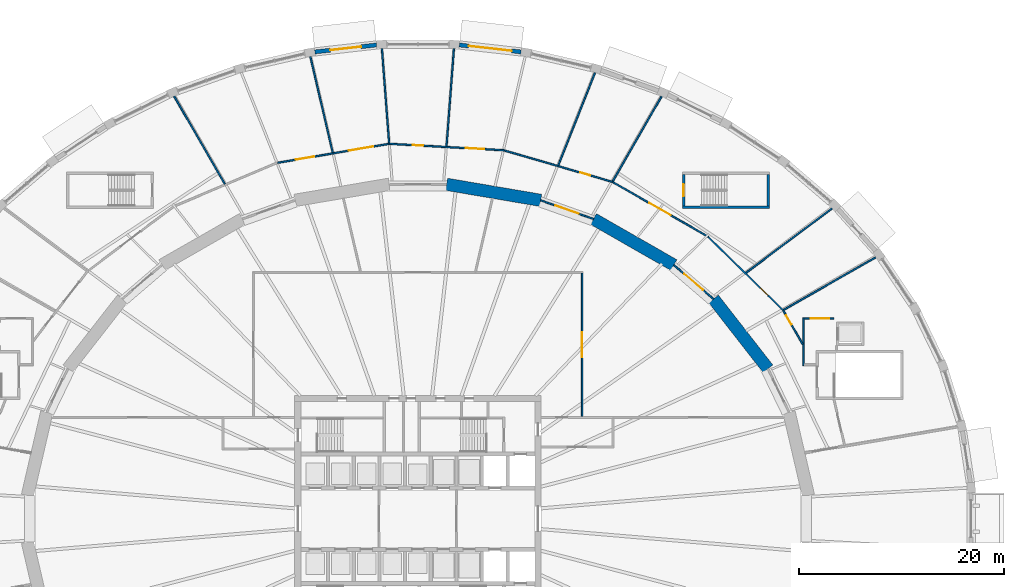
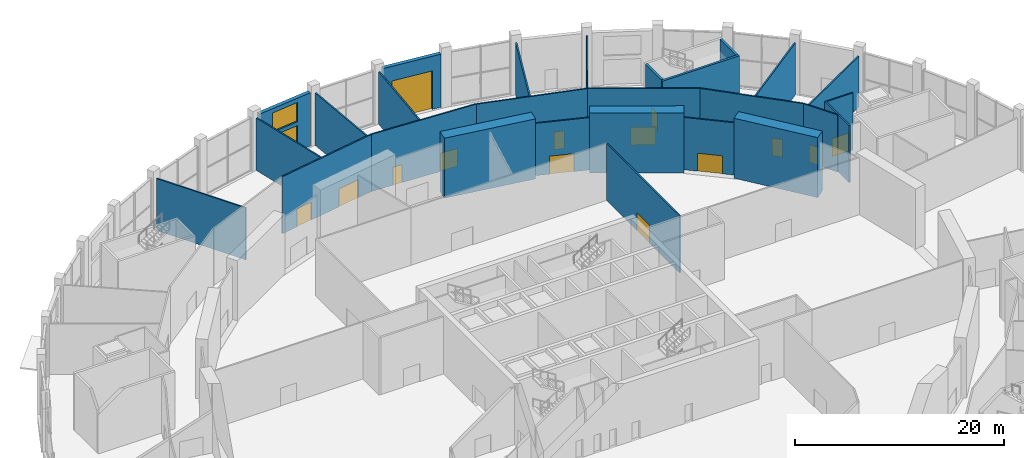
# One storey, part 27 of 33: 27 walls, 15 doors, 1 window, 16 openings.
"""IFC4 building model written with IfcOpenShell, lengths in metres."""

from ifc_helpers import new_model, si_unit, direction, frame, frame_2d, origin, place, context, subcontext, project, spatial, polyline, rectangle, outline, extrude, material, layer, layer_set, type_object, element, fill, save


model = new_model("IFC4")

# Units and contexts
model_context = context("Model", 3, precision=1e-05, world=origin(), true_north=direction((0.0, 1.0)))
body_context = subcontext(model_context, "Body", "Model", "MODEL_VIEW")
ifc_project = project(units=[si_unit("LENGTHUNIT", "METRE"), si_unit("AREAUNIT", "SQUARE_METRE"), si_unit("VOLUMEUNIT", "CUBIC_METRE"), si_unit("PLANEANGLEUNIT", "RADIAN"), si_unit("MASSUNIT", "GRAM", prefix="KILO")], contexts=[model_context])

# Site, building, storey
site_placement = place(None, origin())
site = spatial("IfcSite", under=ifc_project, at=site_placement, CompositionType="ELEMENT")
building_placement = place(site_placement, origin())
building = spatial("IfcBuilding", under=site, at=building_placement, Name="Halqa Exchange Tower", CompositionType="ELEMENT")
storey_placement = place(building_placement, origin())
storey = spatial("IfcBuildingStorey", under=building, at=storey_placement, Name="L00", CompositionType="ELEMENT", Elevation=0.0)

# Wall
ifc_material_1 = material(Name="Fire-rated gypsum board")
ifc_layer_1 = layer(ifc_material_1, 0.14990234375)
ifc_layer_set_1 = layer_set([ifc_layer_1], Name="Fire-rated gypsum board")
wall_type_1 = type_object("IfcWallType", Name="Fire partition EI 60 150", PredefinedType="PARTITIONING", material=ifc_layer_set_1)
wall_1_placement = place(storey_placement, frame((-18.809814453125, 32.598876953125, 0.0), z_axis=(0.0, 0.0, 1.0), x_axis=(-0.499854452602, 0.866109419308, 0.0)))
element("IfcWall", 1, at=wall_1_placement, inside=storey, type_object=wall_type_1, Name="L00-PWL-040", PredefinedType="PARTITIONING", context=body_context, shape_type="SweptSolid", body=[
    extrude(outline(polyline([(-0.00927734375, -0.074951171875), (9.8642578125, -0.074951171875), (9.8828125, 0.074951171875), (0.00927734375, 0.074951171875), (-0.00927734375, -0.074951171875)])), origin(), (0.0, 0.0, 1.0), 6.050048828125),
])

# Wall, openings, doors
wall_2_placement = place(storey_placement, frame((-13.660888671875, 34.6669921875, 0.0), z_axis=(0.0, 0.0, 1.0), x_axis=(0.98575575727, 0.168183194788, 0.0)))
wall_2 = element("IfcWall", 2, at=wall_2_placement, inside=storey, type_object=wall_type_1, Name="L00-PWL-046", PredefinedType="PARTITIONING", context=body_context, shape_type="SweptSolid", body=[
    extrude(rectangle(XDim=11.033935546875, YDim=0.14990234375, at=frame_2d((5.51708984375, 0.0))), origin(), (0.0, 0.0, 1.0), 6.64990234375),
])
opening_1_placement = place(wall_2_placement, frame((7.022705078125, 0.0, 0.0)))
opening_1 = element("IfcOpeningElement", 3, at=opening_1_placement, cuts=wall_2, Name="Opening L00-45", PredefinedType="OPENING", context=body_context, shape_type="SweptSolid", body=[
    extrude(rectangle(XDim=2.39990234375, YDim=2.10009765625, at=frame_2d((1.199951171875, 1.050048828125))), frame((0.0, 0.0869140625, 0.0), z_axis=(0.0, -1.0, 0.0), x_axis=(1.0, 0.0, 0.0)), (0.0, 0.0, 1.0), 0.173828125),
])
opening_2_placement = place(wall_2_placement, frame((1.793701171875, 0.0, 0.0)))
opening_2 = element("IfcOpeningElement", 4, at=opening_2_placement, cuts=wall_2, Name="Opening L00-46", PredefinedType="OPENING", context=body_context, shape_type="SweptSolid", body=[
    extrude(rectangle(XDim=1.800048828125, YDim=2.10009765625, at=frame_2d((0.89990234375, 1.050048828125))), frame((0.0, 0.0869140625, 0.0), z_axis=(0.0, -1.0, 0.0), x_axis=(1.0, 0.0, 0.0)), (0.0, 0.0, 1.0), 0.173828125),
])
ifc_material_2 = material(Name="Steel fire door leaf", Category="steel")
door_type_1 = type_object("IfcDoorType", Name="Fire door FD30S double 1800 x 2100", OperationType="DOUBLE_DOOR_SINGLE_SWING", PredefinedType="DOOR", material=ifc_material_2)
door_1_placement = place(opening_2_placement, origin())
door_1 = element("IfcDoor", 5, at=door_1_placement, inside=storey, type_object=door_type_1, Name="L00-IDR-046", OperationType="DOUBLE_DOOR_SINGLE_SWING", OverallHeight=2.10009765625, OverallWidth=1.800048828125, PredefinedType="DOOR", context=body_context, shape_type="SweptSolid", body=[
    extrude(rectangle(XDim=1.800048828125, YDim=2.10009765625, at=frame_2d((0.89990234375, 1.050048828125))), frame((0.0, 0.02490234375, 0.0), z_axis=(0.0, -1.0, 0.0), x_axis=(1.0, 0.0, 0.0)), (0.0, 0.0, 1.0), 0.050048828125),
])
fill(opening_2, door_1)
door_type_2 = type_object("IfcDoorType", Name="Fire door FD60S double 2400 x 2100", OperationType="DOUBLE_DOOR_SINGLE_SWING", PredefinedType="DOOR", material=ifc_material_2)
door_2_placement = place(opening_1_placement, origin())
door_2 = element("IfcDoor", 6, at=door_2_placement, inside=storey, type_object=door_type_2, Name="L00-IDR-045", OperationType="DOUBLE_DOOR_SINGLE_SWING", OverallHeight=2.10009765625, OverallWidth=2.39990234375, PredefinedType="DOOR", context=body_context, shape_type="SweptSolid", body=[
    extrude(rectangle(XDim=2.39990234375, YDim=2.10009765625, at=frame_2d((1.199951171875, 1.050048828125))), frame((0.0, 0.02490234375, 0.0), z_axis=(0.0, -1.0, 0.0), x_axis=(1.0, 0.0, 0.0)), (0.0, 0.0, 1.0), 0.050048828125),
])
fill(opening_1, door_2)

# Walls
wall_3_placement = place(storey_placement, frame((-8.298095703125, 35.657470703125, 0.0), z_axis=(0.0, 0.0, 1.0), x_axis=(-0.226707460947, 0.973962898241, 0.0)))
element("IfcWall", 7, at=wall_3_placement, inside=storey, type_object=wall_type_1, Name="L00-PWL-051", PredefinedType="PARTITIONING", context=body_context, shape_type="SweptSolid", body=[
    extrude(outline(polyline([(-0.00439453125, -0.074951171875), (9.603759765625, -0.074951171875), (9.612548828125, 0.074951171875), (0.00439453125, 0.074951171875), (-0.00439453125, -0.074951171875)])), origin(), (0.0, 0.0, 1.0), 6.10009765625),
])
wall_4_placement = place(storey_placement, frame((-2.8056640625, 36.5947265625, 0.0), z_axis=(0.0, 0.0, 1.0), x_axis=(-0.076140518104, 0.997097097329, 0.0)))
element("IfcWall", 8, at=wall_4_placement, inside=storey, type_object=wall_type_1, Name="L00-PWL-055", PredefinedType="PARTITIONING", context=body_context, shape_type="SweptSolid", body=[
    extrude(outline(polyline([(0.0, -0.074951171875), (9.233154296875, -0.074951171875), (9.236083984375, 0.074951171875), (0.0, 0.074951171875), (0.0, -0.074951171875)])), origin(), (0.0, 0.0, 1.0), 6.10009765625),
])

# Wall, openings, doors
wall_5_placement = place(storey_placement, frame((-2.784912109375, 36.519287109375, 0.0), z_axis=(0.0, 0.0, 1.0), x_axis=(0.99840694737, -0.0564231109, 0.0)))
wall_5 = element("IfcWall", 9, at=wall_5_placement, inside=storey, type_object=wall_type_1, Name="L00-PWL-056", PredefinedType="PARTITIONING", context=body_context, shape_type="SweptSolid", body=[
    extrude(rectangle(XDim=11.25, YDim=0.14990234375, at=frame_2d((5.625, 0.0))), origin(), (0.0, 0.0, 1.0), 6.64990234375),
])
opening_3_placement = place(wall_5_placement, frame((7.448486328125, 0.0, 0.0)))
opening_3 = element("IfcOpeningElement", 10, at=opening_3_placement, cuts=wall_5, Name="Opening L00-43", PredefinedType="OPENING", context=body_context, shape_type="SweptSolid", body=[
    extrude(rectangle(XDim=1.800048828125, YDim=2.10009765625, at=frame_2d((0.89990234375, 1.050048828125))), frame((0.0, 0.0869140625, 0.0), z_axis=(0.0, -1.0, 0.0), x_axis=(1.0, 0.0, 0.0)), (0.0, 0.0, 1.0), 0.173828125),
])
opening_4_placement = place(wall_5_placement, frame((2.294677734375, 0.0, 0.0)))
opening_4 = element("IfcOpeningElement", 11, at=opening_4_placement, cuts=wall_5, Name="Opening L00-44", PredefinedType="OPENING", context=body_context, shape_type="SweptSolid", body=[
    extrude(rectangle(XDim=1.0, YDim=2.10009765625, at=frame_2d((0.5, 1.050048828125))), frame((0.0, 0.0869140625, 0.0), z_axis=(0.0, -1.0, 0.0), x_axis=(1.0, 0.0, 0.0)), (0.0, 0.0, 1.0), 0.173828125),
])
door_type_3 = type_object("IfcDoorType", Name="Fire door FD30S 1000 x 2100", OperationType="SINGLE_SWING_LEFT", PredefinedType="DOOR", material=ifc_material_2)
door_3_placement = place(opening_4_placement, origin())
door_3 = element("IfcDoor", 12, at=door_3_placement, inside=storey, type_object=door_type_3, Name="L00-IDR-044", OperationType="SINGLE_SWING_RIGHT", OverallHeight=2.10009765625, OverallWidth=1.0, PredefinedType="DOOR", context=body_context, shape_type="SweptSolid", body=[
    extrude(rectangle(XDim=1.0, YDim=2.10009765625, at=frame_2d((0.5, 1.050048828125))), frame((0.0, 0.02490234375, 0.0), z_axis=(0.0, -1.0, 0.0), x_axis=(1.0, 0.0, 0.0)), (0.0, 0.0, 1.0), 0.050048828125),
])
fill(opening_4, door_3)
door_4_placement = place(opening_3_placement, origin())
door_4 = element("IfcDoor", 13, at=door_4_placement, inside=storey, type_object=door_type_1, Name="L00-IDR-043", OperationType="DOUBLE_DOOR_SINGLE_SWING", OverallHeight=2.10009765625, OverallWidth=1.800048828125, PredefinedType="DOOR", context=body_context, shape_type="SweptSolid", body=[
    extrude(rectangle(XDim=1.800048828125, YDim=2.10009765625, at=frame_2d((0.89990234375, 1.050048828125))), frame((0.0, 0.02490234375, 0.0), z_axis=(0.0, -1.0, 0.0), x_axis=(1.0, 0.0, 0.0)), (0.0, 0.0, 1.0), 0.050048828125),
])
fill(opening_3, door_4)

# Wall
wall_6_placement = place(storey_placement, frame((2.785888671875, 36.27880859375, 0.0), z_axis=(0.0, 0.0, 1.0), x_axis=(0.07568782988, 0.997131562236, 0.0)))
element("IfcWall", 14, at=wall_6_placement, inside=storey, type_object=wall_type_1, Name="L00-PWL-058", PredefinedType="PARTITIONING", context=body_context, shape_type="SweptSolid", body=[
    extrude(rectangle(XDim=9.551025390625, YDim=0.14990234375, at=frame_2d((4.775390625, 0.0))), origin(), (0.0, 0.0, 1.0), 6.10009765625),
])

# Wall, opening, door
wall_7_placement = place(storey_placement, frame((8.445556640625, 35.8623046875, 0.0), z_axis=(0.0, 0.0, 1.0), x_axis=(0.96020899529, -0.27928244729, 0.0)))
wall_7 = element("IfcWall", 15, at=wall_7_placement, inside=storey, type_object=wall_type_1, Name="L00-PWL-066", PredefinedType="PARTITIONING", context=body_context, shape_type="SweptSolid", body=[
    extrude(rectangle(XDim=10.949951171875, YDim=0.14990234375, at=frame_2d((5.47509765625, 0.0))), origin(), (0.0, 0.0, 1.0), 6.64990234375),
])
opening_5_placement = place(wall_7_placement, frame((7.65478515625, 0.0, 0.0)))
opening_5 = element("IfcOpeningElement", 16, at=opening_5_placement, cuts=wall_7, Name="Opening L00-42", PredefinedType="OPENING", context=body_context, shape_type="SweptSolid", body=[
    extrude(rectangle(XDim=1.0, YDim=2.10009765625, at=frame_2d((0.5, 1.050048828125))), frame((0.0, 0.0869140625, 0.0), z_axis=(0.0, -1.0, 0.0), x_axis=(1.0, 0.0, 0.0)), (0.0, 0.0, 1.0), 0.173828125),
])
door_5_placement = place(opening_5_placement, origin())
door_5 = element("IfcDoor", 17, at=door_5_placement, inside=storey, type_object=door_type_3, Name="L00-IDR-042", OperationType="SINGLE_SWING_LEFT", OverallHeight=2.10009765625, OverallWidth=1.0, PredefinedType="DOOR", context=body_context, shape_type="SweptSolid", body=[
    extrude(rectangle(XDim=1.0, YDim=2.10009765625, at=frame_2d((0.5, 1.050048828125))), frame((0.0, 0.02490234375, 0.0), z_axis=(0.0, -1.0, 0.0), x_axis=(1.0, 0.0, 0.0)), (0.0, 0.0, 1.0), 0.050048828125),
])
fill(opening_5, door_5)

wall_8_placement = place(storey_placement, frame((11.966796875, 31.01123046875, 0.0), z_axis=(0.0, 0.0, 1.0), x_axis=(0.942814385805, -0.333318217204, 0.0)))
wall_8 = element("IfcWall", 18, at=wall_8_placement, inside=storey, type_object=wall_type_1, Name="L00-PWL-067", PredefinedType="PARTITIONING", context=body_context, shape_type="SweptSolid", body=[
    extrude(outline(polyline([(0.012939453125, -0.074951171875), (5.421142578125, -0.074951171875), (5.448486328125, 0.074951171875), (-0.012939453125, 0.074951171875), (0.012939453125, -0.074951171875)])), origin(), (0.0, 0.0, 1.0), 6.10009765625),
])
opening_6_placement = place(wall_8_placement, frame((1.518798828125, 0.0, 0.0)))
opening_6 = element("IfcOpeningElement", 19, at=opening_6_placement, cuts=wall_8, Name="Opening L00-23", PredefinedType="OPENING", context=body_context, shape_type="SweptSolid", body=[
    extrude(rectangle(XDim=2.39990234375, YDim=2.10009765625, at=frame_2d((1.199951171875, 1.050048828125))), frame((0.0, 0.0869140625, 0.0), z_axis=(0.0, -1.0, 0.0), x_axis=(1.0, 0.0, 0.0)), (0.0, 0.0, 1.0), 0.173828125),
])
door_6_placement = place(opening_6_placement, frame((2.39990234375, 0.0, 0.0), z_axis=(0.0, 0.0, 1.0), x_axis=(-1.0, 0.0, 0.0)))
door_6 = element("IfcDoor", 20, at=door_6_placement, inside=storey, type_object=door_type_2, Name="L00-IDR-023", OperationType="DOUBLE_DOOR_SINGLE_SWING", OverallHeight=2.10009765625, OverallWidth=2.39990234375, PredefinedType="DOOR", context=body_context, shape_type="SweptSolid", body=[
    extrude(rectangle(XDim=2.39990234375, YDim=2.10009765625, at=frame_2d((1.199951171875, 1.050048828125))), frame((0.0, 0.02490234375, 0.0), z_axis=(0.0, -1.0, 0.0), x_axis=(1.0, 0.0, 0.0)), (0.0, 0.0, 1.0), 0.050048828125),
])
fill(opening_6, door_6)

# Wall
wall_9_placement = place(storey_placement, frame((13.668212890625, 34.420654296875, 0.0), z_axis=(0.0, 0.0, 1.0), x_axis=(0.369116523782, 0.929383124374, 0.0)))
element("IfcWall", 21, at=wall_9_placement, inside=storey, type_object=wall_type_1, Name="L00-PWL-071", PredefinedType="PARTITIONING", context=body_context, shape_type="SweptSolid", body=[
    extrude(outline(polyline([(0.007080078125, -0.074951171875), (9.729248046875, -0.074951171875), (9.715087890625, 0.074951171875), (-0.007080078125, 0.074951171875), (0.007080078125, -0.074951171875)])), origin(), (0.0, 0.0, 1.0), 6.10009765625),
])

# Wall, opening, door
wall_10_placement = place(storey_placement, frame((16.0, 23.926025390625, 0.0), z_axis=(0.0, 0.0, 1.0), x_axis=(0.0, -1.0, 0.0)))
wall_10 = element("IfcWall", 22, at=wall_10_placement, inside=storey, type_object=wall_type_1, Name="L00-PWL-075", PredefinedType="PARTITIONING", context=body_context, shape_type="SweptSolid", body=[
    extrude(rectangle(XDim=13.946044921875, YDim=0.14990234375, at=frame_2d((6.97314453125, 0.0))), origin(), (0.0, 0.0, 1.0), 6.64990234375),
])
opening_7_placement = place(wall_10_placement, frame((5.785888671875, 0.0, 0.0)))
opening_7 = element("IfcOpeningElement", 23, at=opening_7_placement, cuts=wall_10, Name="Opening L00-12", PredefinedType="OPENING", context=body_context, shape_type="SweptSolid", body=[
    extrude(rectangle(XDim=2.39990234375, YDim=2.10009765625, at=frame_2d((1.199951171875, 1.050048828125))), frame((0.0, 0.0869140625, 0.0), z_axis=(0.0, -1.0, 0.0), x_axis=(1.0, 0.0, 0.0)), (0.0, 0.0, 1.0), 0.173828125),
])
door_7_placement = place(opening_7_placement, origin())
door_7 = element("IfcDoor", 24, at=door_7_placement, inside=storey, type_object=door_type_2, Name="L00-IDR-012", OperationType="DOUBLE_DOOR_SINGLE_SWING", OverallHeight=2.10009765625, OverallWidth=2.39990234375, PredefinedType="DOOR", context=body_context, shape_type="SweptSolid", body=[
    extrude(rectangle(XDim=2.39990234375, YDim=2.10009765625, at=frame_2d((1.199951171875, 1.050048828125))), frame((0.0, 0.02490234375, 0.0), z_axis=(0.0, -1.0, 0.0), x_axis=(1.0, 0.0, 0.0)), (0.0, 0.0, 1.0), 0.050048828125),
])
fill(opening_7, door_7)

# Wall
wall_11_placement = place(storey_placement, frame((18.978271484375, 32.876220703125, 0.0), z_axis=(0.0, 0.0, 1.0), x_axis=(0.499216965882, 0.866477016992, 0.0)))
element("IfcWall", 25, at=wall_11_placement, inside=storey, type_object=wall_type_1, Name="L00-PWL-078", PredefinedType="PARTITIONING", context=body_context, shape_type="SweptSolid", body=[
    extrude(outline(polyline([(0.0, -0.074951171875), (9.557861328125, -0.074951171875), (9.539306640625, 0.074951171875), (0.0, 0.074951171875), (0.0, -0.074951171875)])), origin(), (0.0, 0.0, 1.0), 6.050048828125),
])

# Wall, opening, door
wall_12_placement = place(storey_placement, frame((18.957763671875, 32.7998046875, 0.0), z_axis=(0.0, 0.0, 1.0), x_axis=(0.867958465669, -0.496636790697, 0.0)))
wall_12 = element("IfcWall", 26, at=wall_12_placement, inside=storey, type_object=wall_type_1, Name="L00-PWL-079", PredefinedType="PARTITIONING", context=body_context, shape_type="SweptSolid", body=[
    extrude(rectangle(XDim=10.771728515625, YDim=0.14990234375, at=frame_2d((5.3857421875, 0.0))), origin(), (0.0, 0.0, 1.0), 6.64990234375),
])
opening_8_placement = place(wall_12_placement, frame((4.12548828125, 0.0, 0.0)))
opening_8 = element("IfcOpeningElement", 27, at=opening_8_placement, cuts=wall_12, Name="Opening L00-41", PredefinedType="OPENING", context=body_context, shape_type="SweptSolid", body=[
    extrude(rectangle(XDim=2.39990234375, YDim=2.10009765625, at=frame_2d((1.199951171875, 1.050048828125))), frame((0.0, 0.0869140625, 0.0), z_axis=(0.0, -1.0, 0.0), x_axis=(1.0, 0.0, 0.0)), (0.0, 0.0, 1.0), 0.173828125),
])
door_8_placement = place(opening_8_placement, frame((2.39990234375, 0.0, 0.0), z_axis=(0.0, 0.0, 1.0), x_axis=(-1.0, 0.0, 0.0)))
door_8 = element("IfcDoor", 28, at=door_8_placement, inside=storey, type_object=door_type_2, Name="L00-IDR-041", OperationType="DOUBLE_DOOR_SINGLE_SWING", OverallHeight=2.10009765625, OverallWidth=2.39990234375, PredefinedType="DOOR", context=body_context, shape_type="SweptSolid", body=[
    extrude(rectangle(XDim=2.39990234375, YDim=2.10009765625, at=frame_2d((1.199951171875, 1.050048828125))), frame((0.0, 0.02490234375, 0.0), z_axis=(0.0, -1.0, 0.0), x_axis=(1.0, 0.0, 0.0)), (0.0, 0.0, 1.0), 0.050048828125),
])
fill(opening_8, door_8)

wall_13_placement = place(storey_placement, frame((24.931884765625, 24.70849609375, 0.0), z_axis=(0.0, 0.0, 1.0), x_axis=(0.760084552743, -0.649824185978, 0.0)))
wall_13 = element("IfcWall", 29, at=wall_13_placement, inside=storey, type_object=wall_type_1, Name="L00-PWL-085", PredefinedType="PARTITIONING", context=body_context, shape_type="SweptSolid", body=[
    extrude(outline(polyline([(0.01416015625, -0.074951171875), (5.0595703125, -0.074951171875), (5.09033203125, 0.074951171875), (-0.01416015625, 0.074951171875), (0.01416015625, -0.074951171875)])), origin(), (0.0, 0.0, 1.0), 6.10009765625),
])
opening_9_placement = place(wall_13_placement, frame((1.336669921875, 0.0, 0.0)))
opening_9 = element("IfcOpeningElement", 30, at=opening_9_placement, cuts=wall_13, Name="Opening L00-22", PredefinedType="OPENING", context=body_context, shape_type="SweptSolid", body=[
    extrude(rectangle(XDim=2.39990234375, YDim=2.10009765625, at=frame_2d((1.199951171875, 1.050048828125))), frame((0.0, 0.0869140625, 0.0), z_axis=(0.0, -1.0, 0.0), x_axis=(1.0, 0.0, 0.0)), (0.0, 0.0, 1.0), 0.173828125),
])
door_9_placement = place(opening_9_placement, frame((2.39990234375, 0.0, 0.0), z_axis=(0.0, 0.0, 1.0), x_axis=(-1.0, 0.0, 0.0)))
door_9 = element("IfcDoor", 31, at=door_9_placement, inside=storey, type_object=door_type_2, Name="L00-IDR-022", OperationType="DOUBLE_DOOR_SINGLE_SWING", OverallHeight=2.10009765625, OverallWidth=2.39990234375, PredefinedType="DOOR", context=body_context, shape_type="SweptSolid", body=[
    extrude(rectangle(XDim=2.39990234375, YDim=2.10009765625, at=frame_2d((1.199951171875, 1.050048828125))), frame((0.0, 0.02490234375, 0.0), z_axis=(0.0, -1.0, 0.0), x_axis=(1.0, 0.0, 0.0)), (0.0, 0.0, 1.0), 0.050048828125),
])
fill(opening_9, door_9)

wall_14_placement = place(storey_placement, frame((28.293701171875, 27.427978515625, 0.0), z_axis=(0.0, 0.0, 1.0), x_axis=(0.714841567175, -0.6992864462, 0.0)))
wall_14 = element("IfcWall", 32, at=wall_14_placement, inside=storey, type_object=wall_type_1, Name="L00-PWL-087", PredefinedType="PARTITIONING", context=body_context, shape_type="SweptSolid", body=[
    extrude(rectangle(XDim=10.201904296875, YDim=0.14990234375, at=frame_2d((5.10107421875, 0.0))), origin(), (0.0, 0.0, 1.0), 6.64990234375),
])
opening_10_placement = place(wall_14_placement, frame((7.096923828125, 0.0, 0.0)))
opening_10 = element("IfcOpeningElement", 33, at=opening_10_placement, cuts=wall_14, Name="Opening L00-40", PredefinedType="OPENING", context=body_context, shape_type="SweptSolid", body=[
    extrude(rectangle(XDim=1.0, YDim=2.10009765625, at=frame_2d((0.5, 1.050048828125))), frame((0.0, 0.0869140625, 0.0), z_axis=(0.0, -1.0, 0.0), x_axis=(1.0, 0.0, 0.0)), (0.0, 0.0, 1.0), 0.173828125),
])
door_10_placement = place(opening_10_placement, origin())
door_10 = element("IfcDoor", 34, at=door_10_placement, inside=storey, type_object=door_type_3, Name="L00-IDR-040", OperationType="SINGLE_SWING_LEFT", OverallHeight=2.10009765625, OverallWidth=1.0, PredefinedType="DOOR", context=body_context, shape_type="SweptSolid", body=[
    extrude(rectangle(XDim=1.0, YDim=2.10009765625, at=frame_2d((0.5, 1.050048828125))), frame((0.0, 0.02490234375, 0.0), z_axis=(0.0, -1.0, 0.0), x_axis=(1.0, 0.0, 0.0)), (0.0, 0.0, 1.0), 0.050048828125),
])
fill(opening_10, door_10)

# Wall
wall_15_placement = place(storey_placement, frame((31.9599609375, 23.945068359375, 0.0), z_axis=(0.0, 0.0, 1.0), x_axis=(0.800117504973, 0.599843294732, 0.0)))
element("IfcWall", 35, at=wall_15_placement, inside=storey, type_object=wall_type_1, Name="L00-PWL-089", PredefinedType="PARTITIONING", context=body_context, shape_type="SweptSolid", body=[
    extrude(outline(polyline([(0.011474609375, -0.074951171875), (10.481689453125, -0.074951171875), (10.458740234375, 0.074951171875), (-0.011474609375, 0.074951171875), (0.011474609375, -0.074951171875)])), origin(), (0.0, 0.0, 1.0), 6.050048828125),
])

# Wall, opening, door
wall_16_placement = place(storey_placement, frame((35.58154296875, 20.2900390625, 0.0), z_axis=(0.0, 0.0, 1.0), x_axis=(0.498809328019, -0.866711748092, 0.0)))
wall_16 = element("IfcWall", 36, at=wall_16_placement, inside=storey, type_object=wall_type_1, Name="L00-PWL-095", PredefinedType="PARTITIONING", context=body_context, shape_type="SweptSolid", body=[
    extrude(rectangle(XDim=3.797119140625, YDim=0.14990234375, at=frame_2d((1.8984375, 0.0))), origin(), (0.0, 0.0, 1.0), 6.64990234375),
])
opening_11_placement = place(wall_16_placement, frame((0.576904296875, 0.0, 0.0)))
opening_11 = element("IfcOpeningElement", 37, at=opening_11_placement, cuts=wall_16, Name="Opening L00-39", PredefinedType="OPENING", context=body_context, shape_type="SweptSolid", body=[
    extrude(rectangle(XDim=1.0, YDim=2.10009765625, at=frame_2d((0.5, 1.050048828125))), frame((0.0, 0.0869140625, 0.0), z_axis=(0.0, -1.0, 0.0), x_axis=(1.0, 0.0, 0.0)), (0.0, 0.0, 1.0), 0.173828125),
])
door_11_placement = place(opening_11_placement, frame((1.0, 0.0, 0.0), z_axis=(0.0, 0.0, 1.0), x_axis=(-1.0, 0.0, 0.0)))
door_11 = element("IfcDoor", 38, at=door_11_placement, inside=storey, type_object=door_type_3, Name="L00-IDR-039", OperationType="SINGLE_SWING_LEFT", OverallHeight=2.10009765625, OverallWidth=1.0, PredefinedType="DOOR", context=body_context, shape_type="SweptSolid", body=[
    extrude(rectangle(XDim=1.0, YDim=2.10009765625, at=frame_2d((0.5, 1.050048828125))), frame((0.0, 0.02490234375, 0.0), z_axis=(0.0, -1.0, 0.0), x_axis=(1.0, 0.0, 0.0)), (0.0, 0.0, 1.0), 0.050048828125),
])
fill(opening_11, door_11)

# Walls
wall_17_placement = place(storey_placement, frame((35.636962890625, 20.34814453125, 0.0), z_axis=(0.0, 0.0, 1.0), x_axis=(0.868596802664, 0.495519519698, 0.0)))
element("IfcWall", 39, at=wall_17_placement, inside=storey, type_object=wall_type_1, Name="L00-PWL-096", PredefinedType="PARTITIONING", context=body_context, shape_type="SweptSolid", body=[
    extrude(outline(polyline([(0.0, -0.074951171875), (10.327392578125, -0.074951171875), (10.305908203125, 0.074951171875), (0.0, 0.074951171875), (0.0, -0.074951171875)])), origin(), (0.0, 0.0, 1.0), 5.89697265625),
])
wall_18_placement = place(storey_placement, frame((37.550048828125, 14.925048828125, 0.0), z_axis=(0.0, 0.0, 1.0), x_axis=(0.0, 1.0, 0.0)))
element("IfcWall", 40, at=wall_18_placement, inside=storey, type_object=wall_type_1, Name="L00-PWL-101", PredefinedType="PARTITIONING", context=body_context, shape_type="SweptSolid", body=[
    extrude(rectangle(XDim=4.64990234375, YDim=0.14990234375, at=frame_2d((2.324951171875, 0.0))), origin(), (0.0, 0.0, 1.0), 6.64990234375),
])

# Wall, opening, door
wall_19_placement = place(storey_placement, frame((37.625, 19.5, 0.0), z_axis=(0.0, 0.0, 1.0), x_axis=(1.0, 0.0, 0.0)))
wall_19 = element("IfcWall", 41, at=wall_19_placement, inside=storey, type_object=wall_type_1, Name="L00-PWL-103", PredefinedType="PARTITIONING", context=body_context, shape_type="SweptSolid", body=[
    extrude(rectangle(XDim=2.89990234375, YDim=0.14990234375, at=frame_2d((1.449951171875, 0.0))), origin(), (0.0, 0.0, 1.0), 6.64990234375),
])
opening_12_placement = place(wall_19_placement, frame((0.625, 0.0, 0.0)))
opening_12 = element("IfcOpeningElement", 42, at=opening_12_placement, cuts=wall_19, Name="Opening L00-63", PredefinedType="OPENING", context=body_context, shape_type="SweptSolid", body=[
    extrude(rectangle(XDim=1.800048828125, YDim=2.10009765625, at=frame_2d((0.89990234375, 1.050048828125))), frame((0.0, 0.0869140625, 0.0), z_axis=(0.0, -1.0, 0.0), x_axis=(1.0, 0.0, 0.0)), (0.0, 0.0, 1.0), 0.173828125),
])
door_12_placement = place(opening_12_placement, origin())
door_12 = element("IfcDoor", 43, at=door_12_placement, inside=storey, type_object=door_type_1, Name="L00-IDR-063", OperationType="DOUBLE_DOOR_SINGLE_SWING", OverallHeight=2.10009765625, OverallWidth=1.800048828125, PredefinedType="DOOR", context=body_context, shape_type="SweptSolid", body=[
    extrude(rectangle(XDim=1.800048828125, YDim=2.10009765625, at=frame_2d((0.89990234375, 1.050048828125))), frame((0.0, 0.02490234375, 0.0), z_axis=(0.0, -1.0, 0.0), x_axis=(1.0, 0.0, 0.0)), (0.0, 0.0, 1.0), 0.050048828125),
])
fill(opening_12, door_12)

# Walls
ifc_material_3 = material(Name="Concrete C80/95", Category="concrete")
ifc_layer_2 = layer(ifc_material_3, 1.199951171875)
ifc_layer_set_2 = layer_set([ifc_layer_2], Name="Concrete C80/95")
wall_type_2 = type_object("IfcWallType", Name="RC ring pier 1200 C80/95", PredefinedType="SHEAR", material=ifc_layer_set_2)
wall_20_placement = place(storey_placement, frame((34.09716796875, 14.60498046875, 0.0), z_axis=(0.0, 0.0, 1.0), x_axis=(-0.614825322247, 0.788663314174, 0.0)))
element("IfcWall", 44, at=wall_20_placement, inside=storey, type_object=wall_type_2, Name="Ring pier 2", PredefinedType="SHEAR", context=body_context, shape_type="SweptSolid", body=[
    extrude(rectangle(XDim=8.631591796875, YDim=1.199951171875, at=frame_2d((4.31591796875, 0.0))), origin(), (0.0, 0.0, 1.0), 7.0),
])
wall_21_placement = place(storey_placement, frame((24.931396484375, 24.705810546875, 0.0), z_axis=(0.0, 0.0, 1.0), x_axis=(-0.867760656864, 0.496982336103, 0.0)))
element("IfcWall", 45, at=wall_21_placement, inside=storey, type_object=wall_type_2, Name="Ring pier 3", PredefinedType="SHEAR", context=body_context, shape_type="SweptSolid", body=[
    extrude(rectangle(XDim=9.037841796875, YDim=1.199951171875, at=frame_2d((4.51904296875, 0.0))), origin(), (0.0, 0.0, 1.0), 7.0),
])
wall_22_placement = place(storey_placement, frame((11.96728515625, 31.00927734375, 0.0), z_axis=(0.0, 0.0, 1.0), x_axis=(-0.985776286846, 0.168062822456, 0.0)))
element("IfcWall", 46, at=wall_22_placement, inside=storey, type_object=wall_type_2, Name="Ring pier 4", PredefinedType="SHEAR", context=body_context, shape_type="SweptSolid", body=[
    extrude(rectangle(XDim=9.3115234375, YDim=1.199951171875, at=frame_2d((4.65576171875, 0.0))), origin(), (0.0, 0.0, 1.0), 7.0),
])
ifc_material_4 = material(Name="Concrete C30/37", Category="concrete")
ifc_layer_3 = layer(ifc_material_4, 0.25)
ifc_layer_set_3 = layer_set([ifc_layer_3], Name="Concrete C30/37")
wall_type_3 = type_object("IfcWallType", Name="RC stair wall 250 C30/37", PredefinedType="SHEAR", material=ifc_layer_set_3)
wall_23_placement = place(storey_placement, frame((25.75, 30.35009765625, 0.0), z_axis=(0.0, 0.0, 1.0), x_axis=(1.0, 0.0, 0.0)))
element("IfcWall", 47, at=wall_23_placement, inside=storey, type_object=wall_type_3, Name="Stair PS1 wall south", PredefinedType="SHEAR", context=body_context, shape_type="SweptSolid", body=[
    extrude(rectangle(XDim=8.5, YDim=0.25, at=frame_2d((4.25, 0.0))), origin(), (0.0, 0.0, 1.0), 6.64990234375),
])

# Wall, opening, door
wall_24_placement = place(storey_placement, frame((25.875, 30.47509765625, 0.0), z_axis=(0.0, 0.0, 1.0), x_axis=(0.0, 1.0, 0.0)))
wall_24 = element("IfcWall", 48, at=wall_24_placement, inside=storey, type_object=wall_type_3, Name="Stair PS1 wall west", PredefinedType="SHEAR", context=body_context, shape_type="SweptSolid", body=[
    extrude(rectangle(XDim=3.0498046875, YDim=0.25, at=frame_2d((1.52490234375, 0.0))), origin(), (0.0, 0.0, 1.0), 6.64990234375),
])
opening_13_placement = place(wall_24_placement, frame((0.925048828125, 0.0, 0.0)))
opening_13 = element("IfcOpeningElement", 49, at=opening_13_placement, cuts=wall_24, Name="Opening L00-C31", PredefinedType="OPENING", context=body_context, shape_type="SweptSolid", body=[
    extrude(rectangle(XDim=1.199951171875, YDim=2.10009765625, at=frame_2d((0.60009765625, 1.050048828125))), frame((0.0, 0.136962890625, 0.0), z_axis=(0.0, -1.0, 0.0), x_axis=(1.0, 0.0, 0.0)), (0.0, 0.0, 1.0), 0.27392578125),
])
door_type_4 = type_object("IfcDoorType", Name="Stair door FD90 1200 x 2100", OperationType="SINGLE_SWING_LEFT", PredefinedType="DOOR", material=ifc_material_2)
door_13_placement = place(opening_13_placement, origin())
door_13 = element("IfcDoor", 50, at=door_13_placement, inside=storey, type_object=door_type_4, Name="Stair door PS1", OperationType="SINGLE_SWING_RIGHT", OverallHeight=2.10009765625, OverallWidth=1.199951171875, PredefinedType="DOOR", context=body_context, shape_type="SweptSolid", body=[
    extrude(rectangle(XDim=1.199951171875, YDim=2.10009765625, at=frame_2d((0.60009765625, 1.050048828125))), frame((0.0, 0.02490234375, 0.0), z_axis=(0.0, -1.0, 0.0), x_axis=(1.0, 0.0, 0.0)), (0.0, 0.0, 1.0), 0.050048828125),
])
fill(opening_13, door_13)

# Wall
wall_25_placement = place(storey_placement, frame((34.125, 30.47509765625, 0.0), z_axis=(0.0, 0.0, 1.0), x_axis=(0.0, 1.0, 0.0)))
element("IfcWall", 51, at=wall_25_placement, inside=storey, type_object=wall_type_3, Name="Stair PS1 wall east", PredefinedType="SHEAR", context=body_context, shape_type="SweptSolid", body=[
    extrude(rectangle(XDim=3.0498046875, YDim=0.25, at=frame_2d((1.52490234375, 0.0))), origin(), (0.0, 0.0, 1.0), 6.64990234375),
])

# Wall, opening, door
ifc_material_5 = material(Name="Limestone cladding", Category="masonry")
ifc_layer_4 = layer(ifc_material_5, 0.0400390625)
ifc_material_6 = material(Name="Ventilated cavity")
ifc_layer_5 = layer(ifc_material_6, 0.030029296875, ventilated=True)
ifc_material_7 = material(Name="Mineral wool insulation")
ifc_layer_6 = layer(ifc_material_7, 0.1201171875)
ifc_layer_7 = layer(ifc_material_4, 0.179931640625)
ifc_material_8 = material(Name="Internal plaster")
ifc_layer_8 = layer(ifc_material_8, 0.030029296875)
ifc_layer_set_4 = layer_set([ifc_layer_4, ifc_layer_5, ifc_layer_6, ifc_layer_7, ifc_layer_8], Name="Stone-faced insulated wall 400")
wall_type_4 = type_object("IfcWallType", Name="Stone-faced insulated wall 400", PredefinedType="STANDARD", material=ifc_layer_set_4)
wall_26_placement = place(storey_placement, frame((10.0380859375, 45.466552734375, 0.0), z_axis=(0.0, 0.0, 1.0), x_axis=(-0.993691731831, 0.112146074793, 0.0)))
wall_26 = element("IfcWall", 52, at=wall_26_placement, inside=storey, type_object=wall_type_4, Name="Podium wall 11", PredefinedType="STANDARD", context=body_context, shape_type="SweptSolid", body=[
    extrude(rectangle(XDim=6.047607421875, YDim=0.39990234375, at=frame_2d((3.02392578125, 0.0))), origin(), (0.0, 0.0, 1.0), 6.199951171875),
])
opening_14_placement = place(wall_26_placement, frame((0.923828125, 0.0, 0.0)))
opening_14 = element("IfcOpeningElement", 53, at=opening_14_placement, cuts=wall_26, Name="Opening RS-01", PredefinedType="OPENING", context=body_context, shape_type="SweptSolid", body=[
    extrude(rectangle(XDim=4.199951171875, YDim=4.5, at=frame_2d((2.10009765625, 2.25))), frame((0.0, 0.2119140625, 0.0), z_axis=(0.0, -1.0, 0.0), x_axis=(1.0, 0.0, 0.0)), (0.0, 0.0, 1.0), 0.423828125),
])
ifc_material_9 = material(Name="Clear low-emissivity glass in aluminium frame", Category="aluminium")
door_type_5 = type_object("IfcDoorType", Name="Roller shutter loading door 4200 x 4500", OperationType="ROLLINGUP", PredefinedType="GATE", material=ifc_material_9)
door_14_placement = place(opening_14_placement, frame((4.199951171875, 0.0, 0.0), z_axis=(0.0, 0.0, 1.0), x_axis=(-1.0, 0.0, 0.0)))
door_14 = element("IfcDoor", 54, at=door_14_placement, inside=storey, type_object=door_type_5, Name="Loading door 1", OperationType="ROLLINGUP", OverallHeight=4.5, OverallWidth=4.199951171875, PredefinedType="GATE", context=body_context, shape_type="SweptSolid", body=[
    extrude(rectangle(XDim=4.199951171875, YDim=4.5, at=frame_2d((2.10009765625, 2.25))), frame((0.0, 0.02490234375, 0.0), z_axis=(0.0, -1.0, 0.0), x_axis=(1.0, 0.0, 0.0)), (0.0, 0.0, 1.0), 0.050048828125),
])
fill(opening_14, door_14)

# Wall, openings, window, door
wall_27_placement = place(storey_placement, frame((-4.028564453125, 46.144775390625, 0.0), z_axis=(0.0, 0.0, 1.0), x_axis=(-0.993691731831, -0.112146074793, 0.0)))
wall_27 = element("IfcWall", 55, at=wall_27_placement, inside=storey, type_object=wall_type_4, Name="Podium wall 13", PredefinedType="STANDARD", context=body_context, shape_type="SweptSolid", body=[
    extrude(rectangle(XDim=6.047607421875, YDim=0.39990234375, at=frame_2d((3.02392578125, 0.0))), origin(), (0.0, 0.0, 1.0), 6.199951171875),
])
opening_15_placement = place(wall_27_placement, frame((1.523681640625, 0.0, 0.0)))
opening_15 = element("IfcOpeningElement", 56, at=opening_15_placement, cuts=wall_27, Name="Opening EN2-02", PredefinedType="OPENING", context=body_context, shape_type="SweptSolid", body=[
    extrude(rectangle(XDim=3.0, YDim=3.0, at=frame_2d((1.5, 1.5))), frame((0.0, 0.2119140625, 0.0), z_axis=(0.0, -1.0, 0.0), x_axis=(1.0, 0.0, 0.0)), (0.0, 0.0, 1.0), 0.423828125),
])
opening_16_placement = place(wall_27_placement, frame((1.523681640625, 0.0, 3.449951171875)))
opening_16 = element("IfcOpeningElement", 57, at=opening_16_placement, cuts=wall_27, Name="Opening WE-02", PredefinedType="OPENING", context=body_context, shape_type="SweptSolid", body=[
    extrude(rectangle(XDim=3.0, YDim=2.25, at=frame_2d((1.5, 1.125))), frame((0.0, 0.2119140625, 0.0), z_axis=(0.0, -1.0, 0.0), x_axis=(1.0, 0.0, 0.0)), (0.0, 0.0, 1.0), 0.423828125),
])
window_type = type_object("IfcWindowType", Name="Fixed clear entrance window 3000 x 2250", PartitioningType="DOUBLE_PANEL_VERTICAL", PredefinedType="WINDOW", material=ifc_material_9)
window_placement = place(opening_16_placement, origin())
window = element("IfcWindow", 58, at=window_placement, inside=storey, type_object=window_type, Name="Entrance window", OverallHeight=2.25, OverallWidth=3.0, PartitioningType="DOUBLE_PANEL_VERTICAL", PredefinedType="WINDOW", context=body_context, shape_type="SweptSolid", body=[
    extrude(rectangle(XDim=3.0, YDim=2.25, at=frame_2d((1.5, 1.125))), frame((0.0, 0.030029296875, 0.0), z_axis=(0.0, -1.0, 0.0), x_axis=(1.0, 0.0, 0.0)), (0.0, 0.0, 1.0), 0.06005859375),
])
fill(opening_16, window)
door_type_6 = type_object("IfcDoorType", Name="Revolving entrance door 3000 x 3000", OperationType="REVOLVING", PredefinedType="DOOR", material=ifc_material_9)
door_15_placement = place(opening_15_placement, frame((3.0, 0.0, 0.0), z_axis=(0.0, 0.0, 1.0), x_axis=(-1.0, 0.0, 0.0)))
door_15 = element("IfcDoor", 59, at=door_15_placement, inside=storey, type_object=door_type_6, Name="Entrance door 2", OperationType="REVOLVING", OverallHeight=3.0, OverallWidth=3.0, PredefinedType="DOOR", context=body_context, shape_type="SweptSolid", body=[
    extrude(rectangle(XDim=3.0, YDim=3.0, at=frame_2d((1.5, 1.5))), frame((0.0, 0.02490234375, 0.0), z_axis=(0.0, -1.0, 0.0), x_axis=(1.0, 0.0, 0.0)), (0.0, 0.0, 1.0), 0.050048828125),
])
fill(opening_15, door_15)

save(model, "model.ifc")
